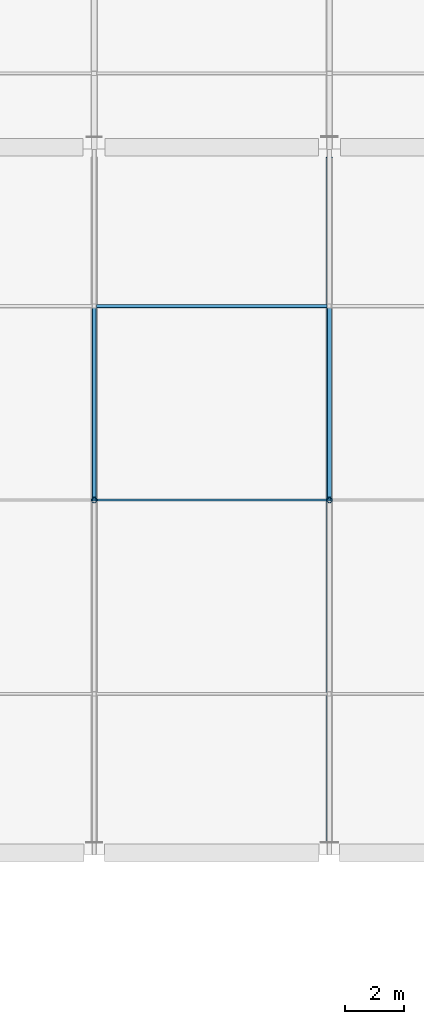
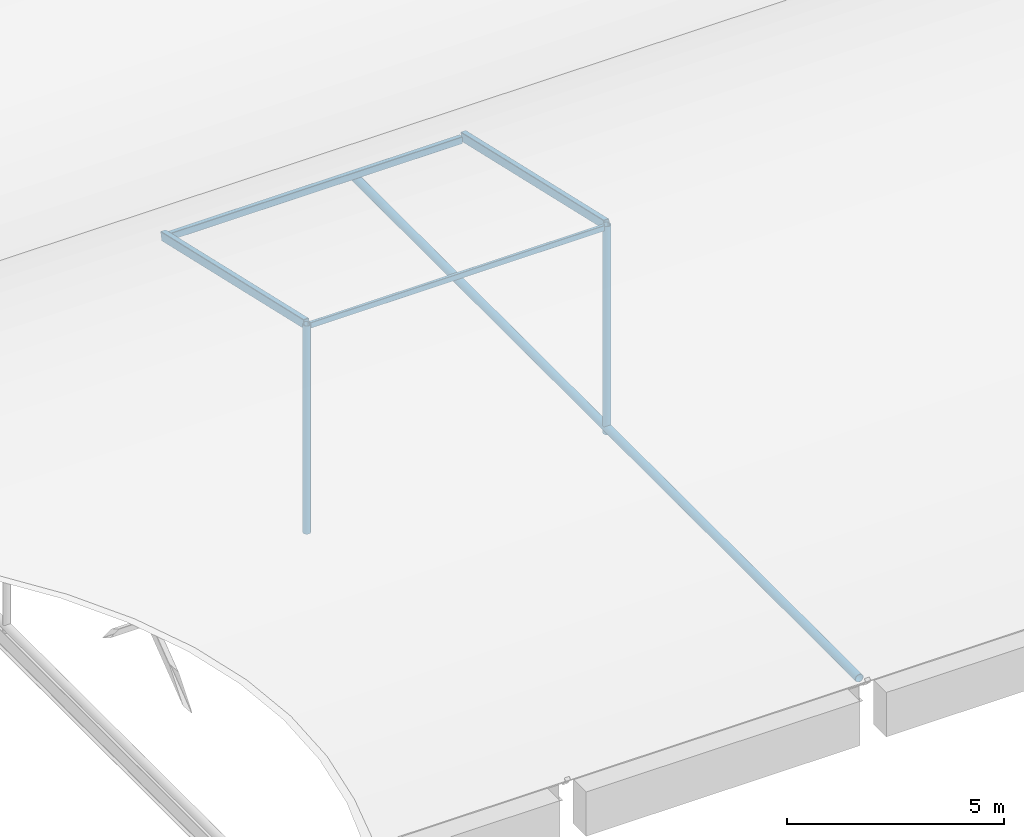
# One storey, part 32 of 57: 7 members.
"""IFC4 building model written with IfcOpenShell, lengths in metres."""

from ifc_helpers import new_model, si_unit, direction, frame, origin, origin_2d, place, context, subcontext, project, spatial, hollow_rectangle, hollow_circle, extrude, material, material_profile, profile_set, type_object, element, save


model = new_model("IFC4")

# Units and contexts
model_context = context("Model", 3, precision=1e-05, world=origin(), true_north=direction((0.0, 1.0)))
body_context = subcontext(model_context, "Body", "Model", "MODEL_VIEW")
ifc_project = project(units=[si_unit("LENGTHUNIT", "METRE"), si_unit("AREAUNIT", "SQUARE_METRE"), si_unit("VOLUMEUNIT", "CUBIC_METRE"), si_unit("PLANEANGLEUNIT", "RADIAN"), si_unit("MASSUNIT", "GRAM", prefix="KILO"), si_unit("THERMODYNAMICTEMPERATUREUNIT", "KELVIN"), si_unit("POWERUNIT", "WATT")], contexts=[model_context])

# Site, building, storey
site_placement = place(None, origin())
site = spatial("IfcSite", under=ifc_project, at=site_placement, CompositionType="ELEMENT")
building_placement = place(site_placement, origin())
building = spatial("IfcBuilding", under=site, at=building_placement, Name="Kronsvod Quay Wholesale Market", CompositionType="ELEMENT")
storey_placement = place(building_placement, frame((0.0, 0.0, 13.199951171875)))
storey = spatial("IfcBuildingStorey", under=building, at=storey_placement, Name="L03", CompositionType="ELEMENT", Elevation=13.199951171875)

# Members
ifc_material_1 = material(Name="Steel S355", Category="steel")
ifc_material_profile_1 = material_profile(ifc_material_1, hollow_rectangle(XDim=0.14990234375, YDim=0.25, WallThickness=0.010009765625, InnerFilletRadius=0.010009765625, OuterFilletRadius=0.02001953125, at=origin_2d()), Name="RHS250x150x10")
ifc_profile_set_1 = profile_set([ifc_material_profile_1], Name="Steel S355")
member_type_1 = type_object("IfcMemberType", Name="Member_Arch250x150", PredefinedType="RAFTER", material=ifc_profile_set_1)
for number, where, z_axis, x_axis, name in (
    (1, (160.0, 66.0, 5.64013671875), (0.0, 0.974763902227, -0.223238291777), (-1.0, 0.0, 0.0), "ARCG-SH-V2E-M-1600-2"),
    (2, (168.0, 66.0, 5.64013671875), (0.0, 0.974763902227, -0.223238291777), (-1.0, 0.0, 0.0), "ARCG-SH-V2E-M-1680-2"),
):
    element("IfcMember", number, at=place(storey_placement, frame(where, z_axis=z_axis, x_axis=x_axis)), inside=storey, type_object=member_type_1, Name=name, PredefinedType="RAFTER", context=body_context, shape_type="SweptSolid", body=[
        extrude(hollow_rectangle(XDim=0.14990234375, YDim=0.25, WallThickness=0.010009765625, InnerFilletRadius=0.010009765625, OuterFilletRadius=0.02001953125, at=origin_2d()), origin(), (0.0, 0.0, 1.0), 6.76513671875),
    ])
ifc_material_2 = material(Name="Steel S355", Category="steel")
ifc_material_profile_2 = material_profile(ifc_material_2, hollow_circle(Radius=0.096923828125, WallThickness=0.008056640625, at=origin_2d()), Name="CHS194x8")
ifc_profile_set_2 = profile_set([ifc_material_profile_2], Name="Steel S355")
member_type_2 = type_object("IfcMemberType", Name="Member_Brace194x8", PredefinedType="BRACE", material=ifc_profile_set_2)
for number, where, z_axis, x_axis, name in (
    (3, (160.0, 66.0, -0.22998046875), (0.0, 0.0, 1.0), (1.0, 0.0, 0.0), "KPST-SH-V2E-M-1600"),
    (4, (168.0, 66.0, -0.22998046875), (0.0, 0.0, 1.0), (1.0, 0.0, 0.0), "KPST-SH-V2E-M-1680"),
):
    element("IfcMember", number, at=place(storey_placement, frame(where, z_axis=z_axis, x_axis=x_axis)), inside=storey, type_object=member_type_2, Name=name, PredefinedType="BRACE", context=body_context, shape_type="SweptSolid", body=[
        extrude(hollow_circle(Radius=0.096923828125, WallThickness=0.008056640625, at=origin_2d()), origin(), (0.0, 0.0, 1.0), 5.8701171875),
    ])
ifc_material_3 = material(Name="Steel S355", Category="steel")
ifc_material_profile_3 = material_profile(ifc_material_3, hollow_circle(Radius=0.109619140625, WallThickness=0.010009765625, at=origin_2d()), Name="CHS219x10")
ifc_profile_set_3 = profile_set([ifc_material_profile_3], Name="Steel S355")
member_type_3 = type_object("IfcMemberType", Name="Member_Chord219x10", PredefinedType="CHORD", material=ifc_profile_set_3)
member_1_placement = place(storey_placement, frame((168.0, 54.340087890625, -0.079833984375), z_axis=(0.0, 1.0, 0.0), x_axis=(-1.0, 0.0, 0.0)))
element("IfcMember", 5, at=member_1_placement, inside=storey, type_object=member_type_3, Name="CHDG-SH-V2E-M-1680", PredefinedType="CHORD", context=body_context, shape_type="SweptSolid", body=[
    extrude(hollow_circle(Radius=0.109619140625, WallThickness=0.010009765625, at=origin_2d()), origin(), (0.0, 0.0, 1.0), 23.31982421875),
])
ifc_material_4 = material(Name="Steel S355", Category="steel")
ifc_material_profile_4 = material_profile(ifc_material_4, hollow_rectangle(XDim=0.1201171875, YDim=0.199951171875, WallThickness=0.008056640625, InnerFilletRadius=0.008056640625, OuterFilletRadius=0.01611328125, at=origin_2d()), Name="RHS200x120x8")
ifc_profile_set_4 = profile_set([ifc_material_profile_4], Name="Steel S355")
member_type_4 = type_object("IfcMemberType", Name="Member_Girt200x120", PredefinedType="PURLIN", material=ifc_profile_set_4)
member_2_placement = place(storey_placement, frame((160.080078125, 72.594482421875, 4.070068359375), z_axis=(1.0, 0.0, 0.0), x_axis=(0.0, 1.0, 0.0)))
element("IfcMember", 6, at=member_2_placement, inside=storey, type_object=member_type_4, Name="PRLG-SH-V2E-M-3-2", PredefinedType="PURLIN", context=body_context, shape_type="SweptSolid", body=[
    extrude(hollow_rectangle(XDim=0.1201171875, YDim=0.199951171875, WallThickness=0.008056640625, InnerFilletRadius=0.008056640625, OuterFilletRadius=0.01611328125, at=origin_2d()), origin(), (0.0, 0.0, 1.0), 7.83984375),
])
ifc_material_5 = material(Name="Steel S355", Category="steel")
ifc_material_profile_5 = material_profile(ifc_material_5, hollow_rectangle(XDim=0.080078125, YDim=0.159912109375, WallThickness=0.006103515625, InnerFilletRadius=0.006103515625, OuterFilletRadius=0.011962890625, at=origin_2d()), Name="RHS160x80x6")
ifc_profile_set_5 = profile_set([ifc_material_profile_5], Name="Steel S355")
member_type_5 = type_object("IfcMemberType", Name="Member_Purlin160x80", PredefinedType="PURLIN", material=ifc_profile_set_5)
member_3_placement = place(storey_placement, frame((160.080078125, 66.0, 5.580078125), z_axis=(1.0, 0.0, 0.0), x_axis=(0.0, 1.0, 0.0)))
element("IfcMember", 7, at=member_3_placement, inside=storey, type_object=member_type_5, Name="PRLG-SH-V2E-M-3-1", PredefinedType="PURLIN", context=body_context, shape_type="SweptSolid", body=[
    extrude(hollow_rectangle(XDim=0.080078125, YDim=0.159912109375, WallThickness=0.006103515625, InnerFilletRadius=0.006103515625, OuterFilletRadius=0.011962890625, at=origin_2d()), origin(), (0.0, 0.0, 1.0), 7.83984375),
])

save(model, "model.ifc")
